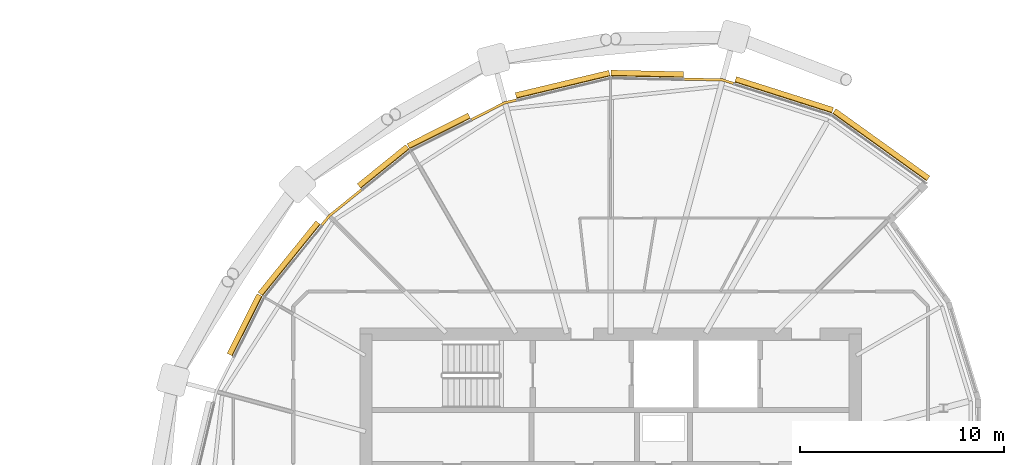
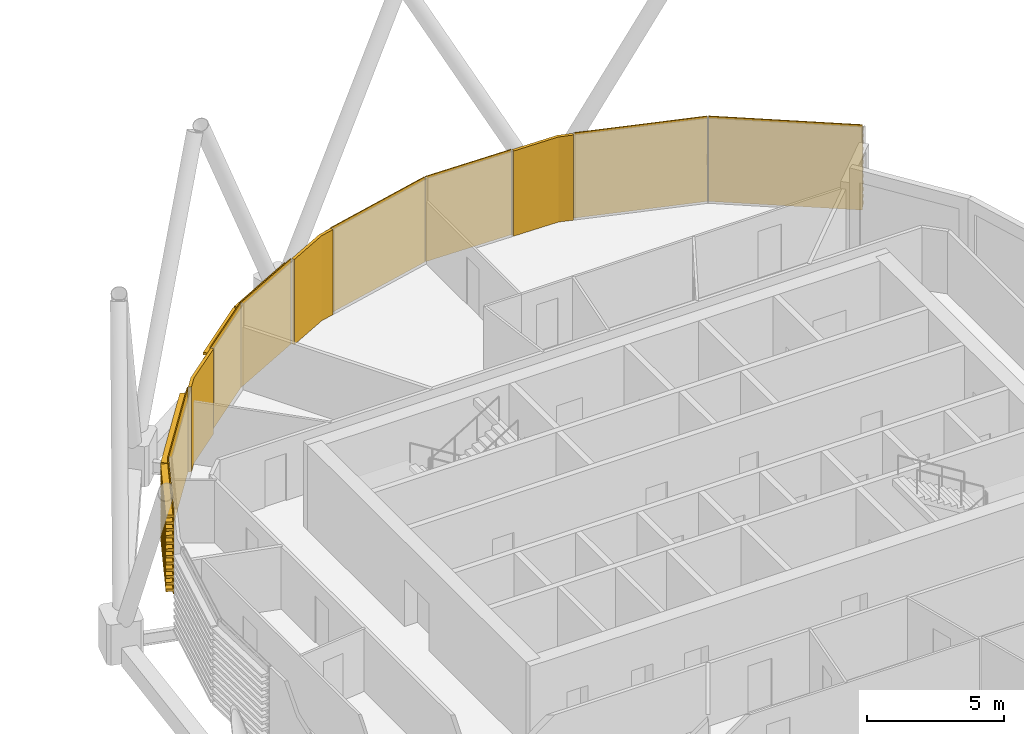
# One storey, part 35 of 35: 11 coverings.
"""IFC4 building model written with IfcOpenShell, lengths in metres."""

from ifc_helpers import new_model, si_unit, direction, frame, origin, place, context, subcontext, project, spatial, polyline, outline, extrude, material, layer, layer_set, material_profile, profile_set, type_object, element, save


model = new_model("IFC4")

# Units and contexts
model_context = context("Model", 3, precision=1e-05, world=origin(), true_north=direction((0.0, 1.0)))
body_context = subcontext(model_context, "Body", "Model", "MODEL_VIEW")
ifc_project = project(units=[si_unit("LENGTHUNIT", "METRE"), si_unit("AREAUNIT", "SQUARE_METRE"), si_unit("VOLUMEUNIT", "CUBIC_METRE"), si_unit("PLANEANGLEUNIT", "RADIAN"), si_unit("MASSUNIT", "GRAM", prefix="KILO")], contexts=[model_context])

# Site, building, storey
site_placement = place(None, origin())
site = spatial("IfcSite", under=ifc_project, at=site_placement, CompositionType="ELEMENT")
building_placement = place(site_placement, origin())
building = spatial("IfcBuilding", under=site, at=building_placement, Name="Rimbun Link Towers", CompositionType="ELEMENT")
storey_placement = place(building_placement, frame((0.0, 0.0, 181.699951171875)))
storey = spatial("IfcBuildingStorey", under=building, at=storey_placement, Name="L44", CompositionType="ELEMENT", Elevation=181.699951171875)

# Coverings
ifc_material_1 = material(Name="Terracotta", Category="masonry")
ifc_layer = layer(ifc_material_1, 0.1201171875)
ifc_layer_set = layer_set([ifc_layer], Name="LINK PIER terracotta cladding 120")
covering_type_1 = type_object("IfcCoveringType", Name="LINK PIER terracotta cladding 120", PredefinedType="CLADDING", material=ifc_layer_set)
covering_1_placement = place(storey_placement, origin())
element("IfcCovering", 1, at=covering_1_placement, inside=storey, type_object=covering_type_1, Name="LINK PIER cladding", PredefinedType="CLADDING", context=body_context, shape_type="SweptSolid", body=[
    extrude(outline(polyline([(35.3515625, 20.458251953125), (37.22119140625, 20.418701171875), (37.764404296875, 20.24609375), (37.80078125, 20.3603515625), (37.240966796875, 20.538330078125), (35.354248046875, 20.578125), (35.3515625, 20.458251953125)])), origin(), (0.0, 0.0, 1.0), 3.800048828125),
])
covering_2_placement = place(storey_placement, origin())
element("IfcCovering", 2, at=covering_2_placement, inside=storey, type_object=covering_type_1, Name="LINK PIER cladding", PredefinedType="CLADDING", context=body_context, shape_type="SweptSolid", body=[
    extrude(outline(polyline([(24.952880859375, 18.480712890625), (26.579345703125, 19.297607421875), (27.133544921875, 19.43017578125), (27.105712890625, 19.546875), (26.537841796875, 19.410888671875), (24.89892578125, 18.587890625), (24.952880859375, 18.480712890625)])), origin(), (0.0, 0.0, 1.0), 3.800048828125),
])
covering_3_placement = place(storey_placement, origin())
element("IfcCovering", 3, at=covering_3_placement, inside=storey, type_object=covering_type_1, Name="LINK PIER cladding", PredefinedType="CLADDING", context=body_context, shape_type="SweptSolid", body=[
    extrude(outline(polyline([(17.62744140625, 13.321044921875), (17.986083984375, 13.763916015625), (19.55615234375, 15.034912109375), (19.480712890625, 15.128173828125), (17.900634765625, 13.849365234375), (17.5341796875, 13.396484375), (17.62744140625, 13.321044921875)])), origin(), (0.0, 0.0, 1.0), 3.800048828125),
])
ifc_material_2 = material(Name="Terracotta", Category="masonry")
ifc_material_profile = material_profile(ifc_material_2, outline(polyline([(0.123046875, 0.0), (0.1630859375, 0.0), (0.1630859375, 0.10009765625), (0.423095703125, 0.10009765625), (0.423095703125, 0.219970703125), (0.1630859375, 0.219970703125), (0.1630859375, 0.39990234375), (0.423095703125, 0.39990234375), (0.423095703125, 0.52001953125), (0.1630859375, 0.52001953125), (0.1630859375, 0.699951171875), (0.423095703125, 0.699951171875), (0.423095703125, 0.820068359375), (0.1630859375, 0.820068359375), (0.1630859375, 1.0), (0.423095703125, 1.0), (0.423095703125, 1.1201171875), (0.1630859375, 1.1201171875), (0.1630859375, 1.300048828125), (0.423095703125, 1.300048828125), (0.423095703125, 1.419921875), (0.1630859375, 1.419921875), (0.1630859375, 1.60009765625), (0.423095703125, 1.60009765625), (0.423095703125, 1.719970703125), (0.1630859375, 1.719970703125), (0.1630859375, 1.89990234375), (0.423095703125, 1.89990234375), (0.423095703125, 2.02001953125), (0.1630859375, 2.02001953125), (0.1630859375, 2.199951171875), (0.423095703125, 2.199951171875), (0.423095703125, 2.320068359375), (0.1630859375, 2.320068359375), (0.1630859375, 2.5), (0.423095703125, 2.5), (0.423095703125, 2.6201171875), (0.1630859375, 2.6201171875), (0.1630859375, 2.800048828125), (0.423095703125, 2.800048828125), (0.423095703125, 2.919921875), (0.1630859375, 2.919921875), (0.1630859375, 3.10009765625), (0.423095703125, 3.10009765625), (0.423095703125, 3.219970703125), (0.1630859375, 3.219970703125), (0.1630859375, 3.39990234375), (0.423095703125, 3.39990234375), (0.423095703125, 3.52001953125), (0.1630859375, 3.52001953125), (0.1630859375, 3.800048828125), (0.123046875, 3.800048828125), (0.123046875, 0.0)])), Name="BAGUETTE 120X300")
ifc_profile_set = profile_set([ifc_material_profile], Name="Terracotta")
covering_type_2 = type_object("IfcCoveringType", Name="TERRACOTTA BAGUETTE 120X300 H3800", PredefinedType="CLADDING", material=ifc_profile_set)
covering_4_placement = place(storey_placement, frame((42.558837890625, 18.721435546875, 0.0), z_axis=(0.812445583502, -0.583037026138, 0.0), x_axis=(0.583037026138, 0.812445583502, 0.0)))
element("IfcCovering", 4, at=covering_4_placement, inside=storey, type_object=covering_type_2, Name="TERRACOTTA BAGUETTE", PredefinedType="CLADDING", context=body_context, shape_type="SweptSolid", body=[
    extrude(outline(polyline([(0.123046875, 0.0), (0.1630859375, 0.0), (0.1630859375, 0.10009765625), (0.423095703125, 0.10009765625), (0.423095703125, 0.219970703125), (0.1630859375, 0.219970703125), (0.1630859375, 0.39990234375), (0.423095703125, 0.39990234375), (0.423095703125, 0.52001953125), (0.1630859375, 0.52001953125), (0.1630859375, 0.699951171875), (0.423095703125, 0.699951171875), (0.423095703125, 0.820068359375), (0.1630859375, 0.820068359375), (0.1630859375, 1.0), (0.423095703125, 1.0), (0.423095703125, 1.1201171875), (0.1630859375, 1.1201171875), (0.1630859375, 1.300048828125), (0.423095703125, 1.300048828125), (0.423095703125, 1.419921875), (0.1630859375, 1.419921875), (0.1630859375, 1.60009765625), (0.423095703125, 1.60009765625), (0.423095703125, 1.719970703125), (0.1630859375, 1.719970703125), (0.1630859375, 1.89990234375), (0.423095703125, 1.89990234375), (0.423095703125, 2.02001953125), (0.1630859375, 2.02001953125), (0.1630859375, 2.199951171875), (0.423095703125, 2.199951171875), (0.423095703125, 2.320068359375), (0.1630859375, 2.320068359375), (0.1630859375, 2.5), (0.423095703125, 2.5), (0.423095703125, 2.6201171875), (0.1630859375, 2.6201171875), (0.1630859375, 2.800048828125), (0.423095703125, 2.800048828125), (0.423095703125, 2.919921875), (0.1630859375, 2.919921875), (0.1630859375, 3.10009765625), (0.423095703125, 3.10009765625), (0.423095703125, 3.219970703125), (0.1630859375, 3.219970703125), (0.1630859375, 3.39990234375), (0.423095703125, 3.39990234375), (0.423095703125, 3.52001953125), (0.1630859375, 3.52001953125), (0.1630859375, 3.800048828125), (0.123046875, 3.800048828125), (0.123046875, 0.0)])), origin(), (0.0, 0.0, 1.0), 5.670166015625),
])
covering_5_placement = place(storey_placement, frame((37.79296875, 20.237060546875, 0.0), z_axis=(0.952971289765, -0.303060589461, 0.0), x_axis=(0.303060589461, 0.952971289765, 0.0)))
element("IfcCovering", 5, at=covering_5_placement, inside=storey, type_object=covering_type_2, Name="TERRACOTTA BAGUETTE", PredefinedType="CLADDING", context=body_context, shape_type="SweptSolid", body=[
    extrude(outline(polyline([(0.123046875, 0.0), (0.1630859375, 0.0), (0.1630859375, 0.10009765625), (0.423095703125, 0.10009765625), (0.423095703125, 0.219970703125), (0.1630859375, 0.219970703125), (0.1630859375, 0.39990234375), (0.423095703125, 0.39990234375), (0.423095703125, 0.52001953125), (0.1630859375, 0.52001953125), (0.1630859375, 0.699951171875), (0.423095703125, 0.699951171875), (0.423095703125, 0.820068359375), (0.1630859375, 0.820068359375), (0.1630859375, 1.0), (0.423095703125, 1.0), (0.423095703125, 1.1201171875), (0.1630859375, 1.1201171875), (0.1630859375, 1.300048828125), (0.423095703125, 1.300048828125), (0.423095703125, 1.419921875), (0.1630859375, 1.419921875), (0.1630859375, 1.60009765625), (0.423095703125, 1.60009765625), (0.423095703125, 1.719970703125), (0.1630859375, 1.719970703125), (0.1630859375, 1.89990234375), (0.423095703125, 1.89990234375), (0.423095703125, 2.02001953125), (0.1630859375, 2.02001953125), (0.1630859375, 2.199951171875), (0.423095703125, 2.199951171875), (0.423095703125, 2.320068359375), (0.1630859375, 2.320068359375), (0.1630859375, 2.5), (0.423095703125, 2.5), (0.423095703125, 2.6201171875), (0.1630859375, 2.6201171875), (0.1630859375, 2.800048828125), (0.423095703125, 2.800048828125), (0.423095703125, 2.919921875), (0.1630859375, 2.919921875), (0.1630859375, 3.10009765625), (0.423095703125, 3.10009765625), (0.423095703125, 3.219970703125), (0.1630859375, 3.219970703125), (0.1630859375, 3.39990234375), (0.423095703125, 3.39990234375), (0.423095703125, 3.52001953125), (0.1630859375, 3.52001953125), (0.1630859375, 3.800048828125), (0.123046875, 3.800048828125), (0.123046875, 0.0)])), origin(), (0.0, 0.0, 1.0), 5.0009765625),
])
covering_6_placement = place(storey_placement, frame((31.75, 20.5341796875, 0.0), z_axis=(0.999776996135, -0.021117717671, 0.0), x_axis=(0.021117717671, 0.999776996135, 0.0)))
element("IfcCovering", 6, at=covering_6_placement, inside=storey, type_object=covering_type_2, Name="TERRACOTTA BAGUETTE", PredefinedType="CLADDING", context=body_context, shape_type="SweptSolid", body=[
    extrude(outline(polyline([(0.123046875, 0.0), (0.1630859375, 0.0), (0.1630859375, 0.10009765625), (0.423095703125, 0.10009765625), (0.423095703125, 0.219970703125), (0.1630859375, 0.219970703125), (0.1630859375, 0.39990234375), (0.423095703125, 0.39990234375), (0.423095703125, 0.52001953125), (0.1630859375, 0.52001953125), (0.1630859375, 0.699951171875), (0.423095703125, 0.699951171875), (0.423095703125, 0.820068359375), (0.1630859375, 0.820068359375), (0.1630859375, 1.0), (0.423095703125, 1.0), (0.423095703125, 1.1201171875), (0.1630859375, 1.1201171875), (0.1630859375, 1.300048828125), (0.423095703125, 1.300048828125), (0.423095703125, 1.419921875), (0.1630859375, 1.419921875), (0.1630859375, 1.60009765625), (0.423095703125, 1.60009765625), (0.423095703125, 1.719970703125), (0.1630859375, 1.719970703125), (0.1630859375, 1.89990234375), (0.423095703125, 1.89990234375), (0.423095703125, 2.02001953125), (0.1630859375, 2.02001953125), (0.1630859375, 2.199951171875), (0.423095703125, 2.199951171875), (0.423095703125, 2.320068359375), (0.1630859375, 2.320068359375), (0.1630859375, 2.5), (0.423095703125, 2.5), (0.423095703125, 2.6201171875), (0.1630859375, 2.6201171875), (0.1630859375, 2.800048828125), (0.423095703125, 2.800048828125), (0.423095703125, 2.919921875), (0.1630859375, 2.919921875), (0.1630859375, 3.10009765625), (0.423095703125, 3.10009765625), (0.423095703125, 3.219970703125), (0.1630859375, 3.219970703125), (0.1630859375, 3.39990234375), (0.423095703125, 3.39990234375), (0.423095703125, 3.52001953125), (0.1630859375, 3.52001953125), (0.1630859375, 3.800048828125), (0.123046875, 3.800048828125), (0.123046875, 0.0)])), origin(), (0.0, 0.0, 1.0), 3.572265625),
])
covering_7_placement = place(storey_placement, frame((27.162841796875, 19.43701171875, 0.0), z_axis=(0.972567436525, 0.232621111275, 0.0), x_axis=(-0.232621111275, 0.972567436525, 0.0)))
element("IfcCovering", 7, at=covering_7_placement, inside=storey, type_object=covering_type_2, Name="TERRACOTTA BAGUETTE", PredefinedType="CLADDING", context=body_context, shape_type="SweptSolid", body=[
    extrude(outline(polyline([(0.123046875, 0.0), (0.1630859375, 0.0), (0.1630859375, 0.10009765625), (0.423095703125, 0.10009765625), (0.423095703125, 0.219970703125), (0.1630859375, 0.219970703125), (0.1630859375, 0.39990234375), (0.423095703125, 0.39990234375), (0.423095703125, 0.52001953125), (0.1630859375, 0.52001953125), (0.1630859375, 0.699951171875), (0.423095703125, 0.699951171875), (0.423095703125, 0.820068359375), (0.1630859375, 0.820068359375), (0.1630859375, 1.0), (0.423095703125, 1.0), (0.423095703125, 1.1201171875), (0.1630859375, 1.1201171875), (0.1630859375, 1.300048828125), (0.423095703125, 1.300048828125), (0.423095703125, 1.419921875), (0.1630859375, 1.419921875), (0.1630859375, 1.60009765625), (0.423095703125, 1.60009765625), (0.423095703125, 1.719970703125), (0.1630859375, 1.719970703125), (0.1630859375, 1.89990234375), (0.423095703125, 1.89990234375), (0.423095703125, 2.02001953125), (0.1630859375, 2.02001953125), (0.1630859375, 2.199951171875), (0.423095703125, 2.199951171875), (0.423095703125, 2.320068359375), (0.1630859375, 2.320068359375), (0.1630859375, 2.5), (0.423095703125, 2.5), (0.423095703125, 2.6201171875), (0.1630859375, 2.6201171875), (0.1630859375, 2.800048828125), (0.423095703125, 2.800048828125), (0.423095703125, 2.919921875), (0.1630859375, 2.919921875), (0.1630859375, 3.10009765625), (0.423095703125, 3.10009765625), (0.423095703125, 3.219970703125), (0.1630859375, 3.219970703125), (0.1630859375, 3.39990234375), (0.423095703125, 3.39990234375), (0.423095703125, 3.52001953125), (0.1630859375, 3.52001953125), (0.1630859375, 3.800048828125), (0.123046875, 3.800048828125), (0.123046875, 0.0)])), origin(), (0.0, 0.0, 1.0), 4.716552734375),
])
covering_8_placement = place(storey_placement, frame((21.95068359375, 16.972900390625, 0.0), z_axis=(0.89361915461, 0.448826031457, 0.0), x_axis=(-0.448826031457, 0.89361915461, 0.0)))
element("IfcCovering", 8, at=covering_8_placement, inside=storey, type_object=covering_type_2, Name="TERRACOTTA BAGUETTE", PredefinedType="CLADDING", context=body_context, shape_type="SweptSolid", body=[
    extrude(outline(polyline([(0.123046875, 0.0), (0.1630859375, 0.0), (0.1630859375, 0.10009765625), (0.423095703125, 0.10009765625), (0.423095703125, 0.219970703125), (0.1630859375, 0.219970703125), (0.1630859375, 0.39990234375), (0.423095703125, 0.39990234375), (0.423095703125, 0.52001953125), (0.1630859375, 0.52001953125), (0.1630859375, 0.699951171875), (0.423095703125, 0.699951171875), (0.423095703125, 0.820068359375), (0.1630859375, 0.820068359375), (0.1630859375, 1.0), (0.423095703125, 1.0), (0.423095703125, 1.1201171875), (0.1630859375, 1.1201171875), (0.1630859375, 1.300048828125), (0.423095703125, 1.300048828125), (0.423095703125, 1.419921875), (0.1630859375, 1.419921875), (0.1630859375, 1.60009765625), (0.423095703125, 1.60009765625), (0.423095703125, 1.719970703125), (0.1630859375, 1.719970703125), (0.1630859375, 1.89990234375), (0.423095703125, 1.89990234375), (0.423095703125, 2.02001953125), (0.1630859375, 2.02001953125), (0.1630859375, 2.199951171875), (0.423095703125, 2.199951171875), (0.423095703125, 2.320068359375), (0.1630859375, 2.320068359375), (0.1630859375, 2.5), (0.423095703125, 2.5), (0.423095703125, 2.6201171875), (0.1630859375, 2.6201171875), (0.1630859375, 2.800048828125), (0.423095703125, 2.800048828125), (0.423095703125, 2.919921875), (0.1630859375, 2.919921875), (0.1630859375, 3.10009765625), (0.423095703125, 3.10009765625), (0.423095703125, 3.219970703125), (0.1630859375, 3.219970703125), (0.1630859375, 3.39990234375), (0.423095703125, 3.39990234375), (0.423095703125, 3.52001953125), (0.1630859375, 3.52001953125), (0.1630859375, 3.800048828125), (0.123046875, 3.800048828125), (0.123046875, 0.0)])), origin(), (0.0, 0.0, 1.0), 3.32958984375),
])
covering_9_placement = place(storey_placement, frame((19.579345703125, 15.0537109375, 0.0), z_axis=(0.777319412597, 0.629106136356, 0.0), x_axis=(-0.629106136356, 0.777319412597, 0.0)))
element("IfcCovering", 9, at=covering_9_placement, inside=storey, type_object=covering_type_2, Name="TERRACOTTA BAGUETTE", PredefinedType="CLADDING", context=body_context, shape_type="SweptSolid", body=[
    extrude(outline(polyline([(0.123046875, 0.0), (0.1630859375, 0.0), (0.1630859375, 0.10009765625), (0.423095703125, 0.10009765625), (0.423095703125, 0.219970703125), (0.1630859375, 0.219970703125), (0.1630859375, 0.39990234375), (0.423095703125, 0.39990234375), (0.423095703125, 0.52001953125), (0.1630859375, 0.52001953125), (0.1630859375, 0.699951171875), (0.423095703125, 0.699951171875), (0.423095703125, 0.820068359375), (0.1630859375, 0.820068359375), (0.1630859375, 1.0), (0.423095703125, 1.0), (0.423095703125, 1.1201171875), (0.1630859375, 1.1201171875), (0.1630859375, 1.300048828125), (0.423095703125, 1.300048828125), (0.423095703125, 1.419921875), (0.1630859375, 1.419921875), (0.1630859375, 1.60009765625), (0.423095703125, 1.60009765625), (0.423095703125, 1.719970703125), (0.1630859375, 1.719970703125), (0.1630859375, 1.89990234375), (0.423095703125, 1.89990234375), (0.423095703125, 2.02001953125), (0.1630859375, 2.02001953125), (0.1630859375, 2.199951171875), (0.423095703125, 2.199951171875), (0.423095703125, 2.320068359375), (0.1630859375, 2.320068359375), (0.1630859375, 2.5), (0.423095703125, 2.5), (0.423095703125, 2.6201171875), (0.1630859375, 2.6201171875), (0.1630859375, 2.800048828125), (0.423095703125, 2.800048828125), (0.423095703125, 2.919921875), (0.1630859375, 2.919921875), (0.1630859375, 3.10009765625), (0.423095703125, 3.10009765625), (0.423095703125, 3.219970703125), (0.1630859375, 3.219970703125), (0.1630859375, 3.39990234375), (0.423095703125, 3.39990234375), (0.423095703125, 3.52001953125), (0.1630859375, 3.52001953125), (0.1630859375, 3.800048828125), (0.123046875, 3.800048828125), (0.123046875, 0.0)])), origin(), (0.0, 0.0, 1.0), 3.05078125),
])
covering_10_placement = place(storey_placement, frame((14.777099609375, 9.79931640625, 0.0), z_axis=(0.62911083384, 0.777315610769, 0.0), x_axis=(-0.777315610769, 0.62911083384, 0.0)))
element("IfcCovering", 10, at=covering_10_placement, inside=storey, type_object=covering_type_2, Name="TERRACOTTA BAGUETTE", PredefinedType="CLADDING", context=body_context, shape_type="SweptSolid", body=[
    extrude(outline(polyline([(0.123046875, 0.0), (0.1630859375, 0.0), (0.1630859375, 0.10009765625), (0.423095703125, 0.10009765625), (0.423095703125, 0.219970703125), (0.1630859375, 0.219970703125), (0.1630859375, 0.39990234375), (0.423095703125, 0.39990234375), (0.423095703125, 0.52001953125), (0.1630859375, 0.52001953125), (0.1630859375, 0.699951171875), (0.423095703125, 0.699951171875), (0.423095703125, 0.820068359375), (0.1630859375, 0.820068359375), (0.1630859375, 1.0), (0.423095703125, 1.0), (0.423095703125, 1.1201171875), (0.1630859375, 1.1201171875), (0.1630859375, 1.300048828125), (0.423095703125, 1.300048828125), (0.423095703125, 1.419921875), (0.1630859375, 1.419921875), (0.1630859375, 1.60009765625), (0.423095703125, 1.60009765625), (0.423095703125, 1.719970703125), (0.1630859375, 1.719970703125), (0.1630859375, 1.89990234375), (0.423095703125, 1.89990234375), (0.423095703125, 2.02001953125), (0.1630859375, 2.02001953125), (0.1630859375, 2.199951171875), (0.423095703125, 2.199951171875), (0.423095703125, 2.320068359375), (0.1630859375, 2.320068359375), (0.1630859375, 2.5), (0.423095703125, 2.5), (0.423095703125, 2.6201171875), (0.1630859375, 2.6201171875), (0.1630859375, 2.800048828125), (0.423095703125, 2.800048828125), (0.423095703125, 2.919921875), (0.1630859375, 2.919921875), (0.1630859375, 3.10009765625), (0.423095703125, 3.10009765625), (0.423095703125, 3.219970703125), (0.1630859375, 3.219970703125), (0.1630859375, 3.39990234375), (0.423095703125, 3.39990234375), (0.423095703125, 3.52001953125), (0.1630859375, 3.52001953125), (0.1630859375, 3.800048828125), (0.123046875, 3.800048828125), (0.123046875, 0.0)])), origin(), (0.0, 0.0, 1.0), 4.50048828125),
])
covering_11_placement = place(storey_placement, frame((13.30517578125, 6.86865234375, 0.0), z_axis=(0.448820855962, 0.893621754017, 0.0), x_axis=(-0.893621754017, 0.448820855962, 0.0)))
element("IfcCovering", 11, at=covering_11_placement, inside=storey, type_object=covering_type_2, Name="TERRACOTTA BAGUETTE", PredefinedType="CLADDING", context=body_context, shape_type="SweptSolid", body=[
    extrude(outline(polyline([(0.123046875, 0.0), (0.1630859375, 0.0), (0.1630859375, 0.10009765625), (0.423095703125, 0.10009765625), (0.423095703125, 0.219970703125), (0.1630859375, 0.219970703125), (0.1630859375, 0.39990234375), (0.423095703125, 0.39990234375), (0.423095703125, 0.52001953125), (0.1630859375, 0.52001953125), (0.1630859375, 0.699951171875), (0.423095703125, 0.699951171875), (0.423095703125, 0.820068359375), (0.1630859375, 0.820068359375), (0.1630859375, 1.0), (0.423095703125, 1.0), (0.423095703125, 1.1201171875), (0.1630859375, 1.1201171875), (0.1630859375, 1.300048828125), (0.423095703125, 1.300048828125), (0.423095703125, 1.419921875), (0.1630859375, 1.419921875), (0.1630859375, 1.60009765625), (0.423095703125, 1.60009765625), (0.423095703125, 1.719970703125), (0.1630859375, 1.719970703125), (0.1630859375, 1.89990234375), (0.423095703125, 1.89990234375), (0.423095703125, 2.02001953125), (0.1630859375, 2.02001953125), (0.1630859375, 2.199951171875), (0.423095703125, 2.199951171875), (0.423095703125, 2.320068359375), (0.1630859375, 2.320068359375), (0.1630859375, 2.5), (0.423095703125, 2.5), (0.423095703125, 2.6201171875), (0.1630859375, 2.6201171875), (0.1630859375, 2.800048828125), (0.423095703125, 2.800048828125), (0.423095703125, 2.919921875), (0.1630859375, 2.919921875), (0.1630859375, 3.10009765625), (0.423095703125, 3.10009765625), (0.423095703125, 3.219970703125), (0.1630859375, 3.219970703125), (0.1630859375, 3.39990234375), (0.423095703125, 3.39990234375), (0.423095703125, 3.52001953125), (0.1630859375, 3.52001953125), (0.1630859375, 3.800048828125), (0.123046875, 3.800048828125), (0.123046875, 0.0)])), origin(), (0.0, 0.0, 1.0), 3.279541015625),
])

save(model, "model.ifc")
